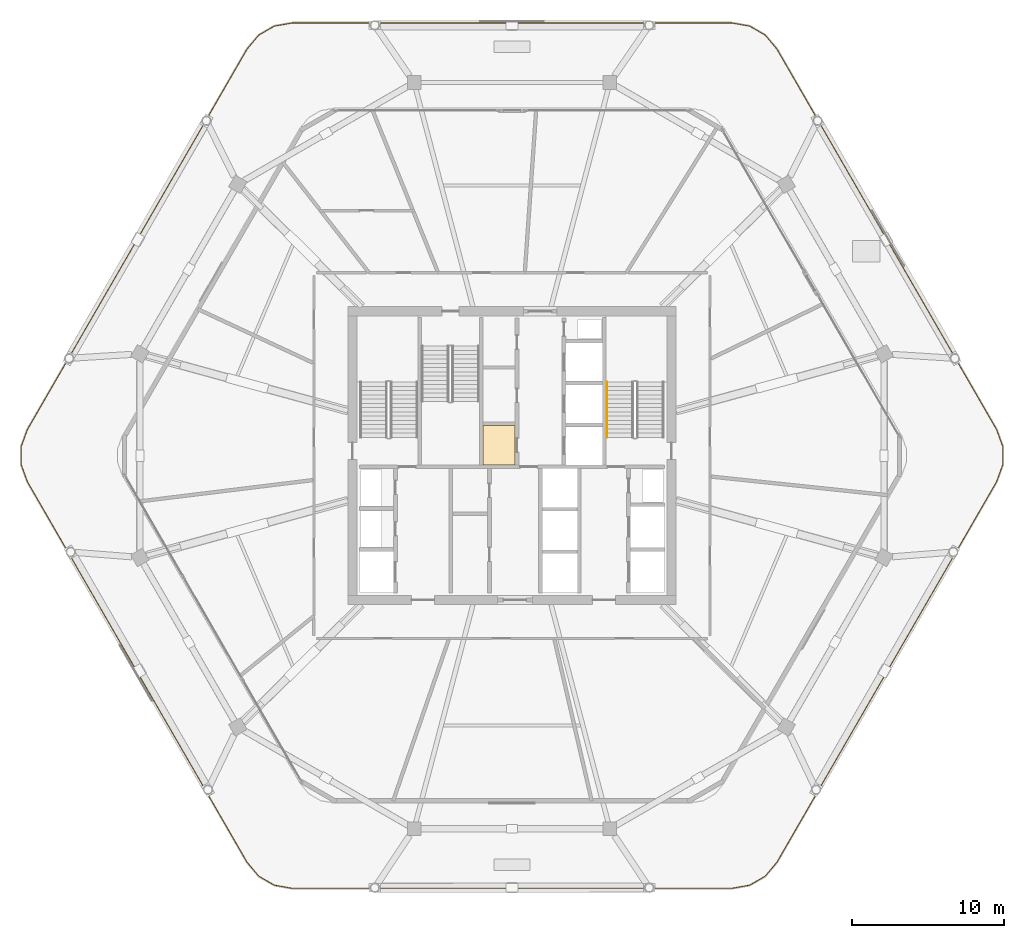
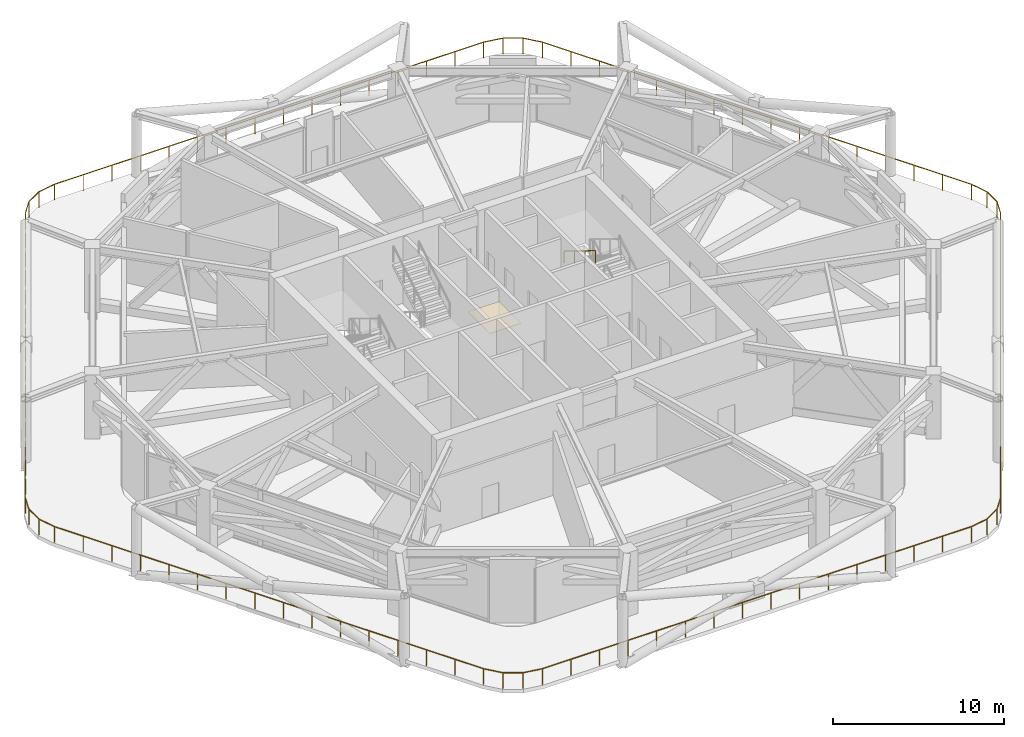
# One storey, part 17 of 20: 2 railings, 1 covering.
"""IFC4 building model written with IfcOpenShell, lengths in metres."""

from ifc_helpers import new_model, si_unit, direction, frame, origin, origin_2d, place, context, subcontext, project, spatial, polyline, rectangle, outline, extrude, material, layer, layer_set, type_object, element, save


model = new_model("IFC4")

# Units and contexts
model_context = context("Model", 3, precision=1e-05, world=origin(), true_north=direction((0.0, 1.0)))
body_context = subcontext(model_context, "Body", "Model", "MODEL_VIEW")
ifc_project = project(units=[si_unit("LENGTHUNIT", "METRE"), si_unit("AREAUNIT", "SQUARE_METRE"), si_unit("VOLUMEUNIT", "CUBIC_METRE"), si_unit("PLANEANGLEUNIT", "RADIAN"), si_unit("MASSUNIT", "GRAM", prefix="KILO")], contexts=[model_context])

# Site, building, storey
site_placement = place(None, origin())
site = spatial("IfcSite", under=ifc_project, at=site_placement, CompositionType="ELEMENT")
building_placement = place(site_placement, origin())
building = spatial("IfcBuilding", under=site, at=building_placement, Name="Zuhravey Tower", CompositionType="ELEMENT")
storey_placement = place(building_placement, frame((0.0, 0.0, 226.39990234375)))
storey = spatial("IfcBuildingStorey", under=building, at=storey_placement, Name="L57", CompositionType="ELEMENT", Elevation=226.39990234375)

# Railing
ifc_material_1 = material(Name="Stainless steel 316 and laminated glass", Category="steel")
railing_type_1 = type_object("IfcRailingType", Name="Balcony & Terrace Guardrail 1150", PredefinedType="BALUSTRADE", material=ifc_material_1)
railing_1_placement = place(storey_placement, frame((67.8876953125, 30.283935546875, 0.0)))
element("IfcRailing", 1, at=railing_1_placement, inside=storey, type_object=railing_type_1, Name="L57 Sky-Garden Perimeter Guardrail GR1", PredefinedType="BALUSTRADE", context=body_context, shape_type="SweptSolid", body=[
    extrude(rectangle(XDim=0.048095703125, YDim=0.048095703125, at=origin_2d()), frame((-0.0009765625, -0.001708984375, 1.1259765625), z_axis=(-0.500001158135, -0.866024735134, 0.0), x_axis=(0.866024735134, -0.500001158135, 0.0)), (0.0, 0.0, 1.0), 28.911376953125),
    extrude(rectangle(XDim=0.048095703125, YDim=0.048095703125, at=origin_2d()), frame((-14.458984375, -25.04296875, 1.1259765625), z_axis=(-0.642674195616, -0.766139594519, 0.0), x_axis=(0.766139594519, -0.642674195616, 0.0)), (0.0, 0.0, 1.0), 1.1904296875),
    extrude(rectangle(XDim=0.048095703125, YDim=0.048095703125, at=origin_2d()), frame((-15.22705078125, -25.95751953125, 1.1259765625), z_axis=(-0.866007538022, -0.500030943131, 0.0), x_axis=(0.500030943131, -0.866007538022, 0.0)), (0.0, 0.0, 1.0), 1.183349609375),
    extrude(rectangle(XDim=0.048095703125, YDim=0.048095703125, at=origin_2d()), frame((-16.255615234375, -26.550537109375, 1.1259765625), z_axis=(-0.984826741662, -0.173540453232, 0.0), x_axis=(0.173540453232, -0.984826741662, 0.0)), (0.0, 0.0, 1.0), 1.1904296875),
    extrude(rectangle(XDim=0.048095703125, YDim=0.048095703125, at=origin_2d()), frame((-17.431884765625, -26.757568359375, 1.1259765625), z_axis=(-1.0, 0.0, 0.0), x_axis=(0.0, -1.0, 0.0)), (0.0, 0.0, 1.0), 28.91162109375),
    extrude(rectangle(XDim=0.048095703125, YDim=0.048095703125, at=origin_2d()), frame((-46.347412109375, -26.75732421875, 1.1259765625), z_axis=(-0.984826741662, 0.173540453232, 0.0), x_axis=(-0.173540453232, -0.984826741662, 0.0)), (0.0, 0.0, 1.0), 1.1904296875),
    extrude(rectangle(XDim=0.048095703125, YDim=0.048095703125, at=origin_2d()), frame((-47.5234375, -26.54931640625, 1.1259765625), z_axis=(-0.866007538022, 0.500030943131, 0.0), x_axis=(-0.500030943131, -0.866007538022, 0.0)), (0.0, 0.0, 1.0), 1.183349609375),
    extrude(rectangle(XDim=0.048095703125, YDim=0.048095703125, at=origin_2d()), frame((-48.55126953125, -25.955078125, 1.1259765625), z_axis=(-0.642674195616, 0.766139594519, 0.0), x_axis=(-0.766139594519, -0.642674195616, 0.0)), (0.0, 0.0, 1.0), 1.1904296875),
    extrude(rectangle(XDim=0.048095703125, YDim=0.048095703125, at=origin_2d()), frame((-49.318603515625, -25.039794921875, 1.1259765625), z_axis=(-0.500001158135, 0.866024735134, 0.0), x_axis=(-0.866024735134, -0.500001158135, 0.0)), (0.0, 0.0, 1.0), 28.911376953125),
    extrude(rectangle(XDim=0.048095703125, YDim=0.048095703125, at=origin_2d()), frame((-63.776123046875, 0.001953125, 1.1259765625), z_axis=(-0.342169736669, 0.939638159776, 0.0), x_axis=(-0.939638159776, -0.342169736669, 0.0)), (0.0, 0.0, 1.0), 1.1904296875),
    extrude(rectangle(XDim=0.048095703125, YDim=0.048095703125, at=origin_2d()), frame((-64.18408203125, 1.124267578125, 1.1259765625), z_axis=(0.0, 1.0, 0.0), x_axis=(-1.0, 0.0, 0.0)), (0.0, 0.0, 1.0), 1.18359375),
    extrude(rectangle(XDim=0.048095703125, YDim=0.048095703125, at=origin_2d()), frame((-64.183349609375, 2.311767578125, 1.1259765625), z_axis=(0.342169736669, 0.939638159776, 0.0), x_axis=(-0.939638159776, 0.342169736669, 0.0)), (0.0, 0.0, 1.0), 1.1904296875),
    extrude(rectangle(XDim=0.048095703125, YDim=0.048095703125, at=origin_2d()), frame((-63.7744140625, 3.433837890625, 1.1259765625), z_axis=(0.500001158135, 0.866024735134, 0.0), x_axis=(-0.866024735134, 0.500001158135, 0.0)), (0.0, 0.0, 1.0), 28.911376953125),
    extrude(rectangle(XDim=0.048095703125, YDim=0.048095703125, at=origin_2d()), frame((-49.31640625, 28.47509765625, 1.1259765625), z_axis=(0.642674195616, 0.766139594519, 0.0), x_axis=(-0.766139594519, 0.642674195616, 0.0)), (0.0, 0.0, 1.0), 1.1904296875),
    extrude(rectangle(XDim=0.048095703125, YDim=0.048095703125, at=origin_2d()), frame((-48.54833984375, 29.3896484375, 1.1259765625), z_axis=(0.866007538022, 0.500030943131, 0.0), x_axis=(-0.500030943131, 0.866007538022, 0.0)), (0.0, 0.0, 1.0), 1.183349609375),
    extrude(rectangle(XDim=0.048095703125, YDim=0.048095703125, at=origin_2d()), frame((-47.519775390625, 29.982666015625, 1.1259765625), z_axis=(0.984826741662, 0.173540453232, 0.0), x_axis=(-0.173540453232, 0.984826741662, 0.0)), (0.0, 0.0, 1.0), 1.1904296875),
    extrude(rectangle(XDim=0.048095703125, YDim=0.048095703125, at=origin_2d()), frame((-46.343505859375, 30.189697265625, 1.1259765625), z_axis=(1.0, 0.0, 0.0), x_axis=(0.0, 1.0, 0.0)), (0.0, 0.0, 1.0), 28.91162109375),
    extrude(rectangle(XDim=0.048095703125, YDim=0.048095703125, at=origin_2d()), frame((-17.427978515625, 30.189453125, 1.1259765625), z_axis=(0.984826741662, -0.173540453232, 0.0), x_axis=(0.173540453232, 0.984826741662, 0.0)), (0.0, 0.0, 1.0), 1.1904296875),
    extrude(rectangle(XDim=0.048095703125, YDim=0.048095703125, at=origin_2d()), frame((-16.251953125, 29.9814453125, 1.1259765625), z_axis=(0.866007538022, -0.500030943131, 0.0), x_axis=(0.500030943131, 0.866007538022, 0.0)), (0.0, 0.0, 1.0), 1.183349609375),
    extrude(rectangle(XDim=0.048095703125, YDim=0.048095703125, at=origin_2d()), frame((-15.22412109375, 29.38720703125, 1.1259765625), z_axis=(0.642674195616, -0.766139594519, 0.0), x_axis=(0.766139594519, 0.642674195616, 0.0)), (0.0, 0.0, 1.0), 1.1904296875),
    extrude(rectangle(XDim=0.048095703125, YDim=0.048095703125, at=origin_2d()), frame((-14.456787109375, 28.471923828125, 1.1259765625), z_axis=(0.500001158135, -0.866024735134, 0.0), x_axis=(0.866024735134, 0.500001158135, 0.0)), (0.0, 0.0, 1.0), 28.911376953125),
    extrude(rectangle(XDim=0.048095703125, YDim=0.048095703125, at=origin_2d()), frame((0.000732421875, 3.43017578125, 1.1259765625), z_axis=(0.342169736669, -0.939638159776, 0.0), x_axis=(0.939638159776, 0.342169736669, 0.0)), (0.0, 0.0, 1.0), 1.1904296875),
    extrude(rectangle(XDim=0.048095703125, YDim=0.048095703125, at=origin_2d()), frame((0.40869140625, 2.307861328125, 1.1259765625), z_axis=(0.0, -1.0, 0.0), x_axis=(1.0, 0.0, 0.0)), (0.0, 0.0, 1.0), 1.18359375),
    extrude(rectangle(XDim=0.048095703125, YDim=0.048095703125, at=origin_2d()), frame((0.407958984375, 1.120361328125, 1.1259765625), z_axis=(-0.342169736669, -0.939638159776, 0.0), x_axis=(0.939638159776, -0.342169736669, 0.0)), (0.0, 0.0, 1.0), 1.1904296875),
    extrude(rectangle(XDim=0.0419921875, YDim=0.0419921875, at=origin_2d()), origin(), (0.0, 0.0, 1.0), 1.099853515625),
    extrude(rectangle(XDim=0.0419921875, YDim=0.0419921875, at=origin_2d()), frame((-0.9638671875, -1.66943359375, 0.0)), (0.0, 0.0, 1.0), 1.099853515625),
    extrude(rectangle(XDim=0.0419921875, YDim=0.0419921875, at=origin_2d()), frame((-1.927734375, -3.3388671875, 0.0)), (0.0, 0.0, 1.0), 1.099853515625),
    extrude(rectangle(XDim=0.0419921875, YDim=0.0419921875, at=origin_2d()), frame((-2.8916015625, -5.00830078125, 0.0)), (0.0, 0.0, 1.0), 1.099853515625),
    extrude(rectangle(XDim=0.0419921875, YDim=0.0419921875, at=origin_2d()), frame((-3.85546875, -6.677734375, 0.0)), (0.0, 0.0, 1.0), 1.099853515625),
    extrude(rectangle(XDim=0.0419921875, YDim=0.0419921875, at=origin_2d()), frame((-4.8193359375, -8.34716796875, 0.0)), (0.0, 0.0, 1.0), 1.099853515625),
    extrude(rectangle(XDim=0.0419921875, YDim=0.0419921875, at=origin_2d()), frame((-5.783203125, -10.0166015625, 0.0)), (0.0, 0.0, 1.0), 1.099853515625),
    extrude(rectangle(XDim=0.0419921875, YDim=0.0419921875, at=origin_2d()), frame((-6.7470703125, -11.68603515625, 0.0)), (0.0, 0.0, 1.0), 1.099853515625),
    extrude(rectangle(XDim=0.0419921875, YDim=0.0419921875, at=origin_2d()), frame((-7.710693359375, -13.35546875, 0.0)), (0.0, 0.0, 1.0), 1.099853515625),
    extrude(rectangle(XDim=0.0419921875, YDim=0.0419921875, at=origin_2d()), frame((-8.674560546875, -15.02490234375, 0.0)), (0.0, 0.0, 1.0), 1.099853515625),
    extrude(rectangle(XDim=0.0419921875, YDim=0.0419921875, at=origin_2d()), frame((-9.638427734375, -16.6943359375, 0.0)), (0.0, 0.0, 1.0), 1.099853515625),
    extrude(rectangle(XDim=0.0419921875, YDim=0.0419921875, at=origin_2d()), frame((-10.602294921875, -18.36376953125, 0.0)), (0.0, 0.0, 1.0), 1.099853515625),
    extrude(rectangle(XDim=0.0419921875, YDim=0.0419921875, at=origin_2d()), frame((-11.566162109375, -20.033203125, 0.0)), (0.0, 0.0, 1.0), 1.099853515625),
    extrude(rectangle(XDim=0.0419921875, YDim=0.0419921875, at=origin_2d()), frame((-12.530029296875, -21.70263671875, 0.0)), (0.0, 0.0, 1.0), 1.099853515625),
    extrude(rectangle(XDim=0.0419921875, YDim=0.0419921875, at=origin_2d()), frame((-13.493896484375, -23.3720703125, 0.0)), (0.0, 0.0, 1.0), 1.099853515625),
    extrude(rectangle(XDim=0.0419921875, YDim=0.0419921875, at=origin_2d()), frame((-14.457763671875, -25.04150390625, 0.0)), (0.0, 0.0, 1.0), 1.099853515625),
    extrude(rectangle(XDim=0.0419921875, YDim=0.0419921875, at=origin_2d()), frame((-15.225341796875, -25.95654296875, 0.0)), (0.0, 0.0, 1.0), 1.099853515625),
    extrude(rectangle(XDim=0.0419921875, YDim=0.0419921875, at=origin_2d()), frame((-16.253662109375, -26.55029296875, 0.0)), (0.0, 0.0, 1.0), 1.099853515625),
    extrude(rectangle(XDim=0.0419921875, YDim=0.0419921875, at=origin_2d()), frame((-17.429931640625, -26.757568359375, 0.0)), (0.0, 0.0, 1.0), 1.099853515625),
    extrude(rectangle(XDim=0.0419921875, YDim=0.0419921875, at=origin_2d()), frame((-19.357666015625, -26.757568359375, 0.0)), (0.0, 0.0, 1.0), 1.099853515625),
    extrude(rectangle(XDim=0.0419921875, YDim=0.0419921875, at=origin_2d()), frame((-21.285400390625, -26.757568359375, 0.0)), (0.0, 0.0, 1.0), 1.099853515625),
    extrude(rectangle(XDim=0.0419921875, YDim=0.0419921875, at=origin_2d()), frame((-23.213134765625, -26.757568359375, 0.0)), (0.0, 0.0, 1.0), 1.099853515625),
    extrude(rectangle(XDim=0.0419921875, YDim=0.0419921875, at=origin_2d()), frame((-25.140625, -26.757568359375, 0.0)), (0.0, 0.0, 1.0), 1.099853515625),
    extrude(rectangle(XDim=0.0419921875, YDim=0.0419921875, at=origin_2d()), frame((-27.068359375, -26.757568359375, 0.0)), (0.0, 0.0, 1.0), 1.099853515625),
    extrude(rectangle(XDim=0.0419921875, YDim=0.0419921875, at=origin_2d()), frame((-28.99609375, -26.757568359375, 0.0)), (0.0, 0.0, 1.0), 1.099853515625),
    extrude(rectangle(XDim=0.0419921875, YDim=0.0419921875, at=origin_2d()), frame((-30.923828125, -26.757568359375, 0.0)), (0.0, 0.0, 1.0), 1.099853515625),
    extrude(rectangle(XDim=0.0419921875, YDim=0.0419921875, at=origin_2d()), frame((-32.8515625, -26.757568359375, 0.0)), (0.0, 0.0, 1.0), 1.099853515625),
    extrude(rectangle(XDim=0.0419921875, YDim=0.0419921875, at=origin_2d()), frame((-34.779296875, -26.757568359375, 0.0)), (0.0, 0.0, 1.0), 1.099853515625),
    extrude(rectangle(XDim=0.0419921875, YDim=0.0419921875, at=origin_2d()), frame((-36.70703125, -26.757568359375, 0.0)), (0.0, 0.0, 1.0), 1.099853515625),
    extrude(rectangle(XDim=0.0419921875, YDim=0.0419921875, at=origin_2d()), frame((-38.634765625, -26.757568359375, 0.0)), (0.0, 0.0, 1.0), 1.099853515625),
    extrude(rectangle(XDim=0.0419921875, YDim=0.0419921875, at=origin_2d()), frame((-40.562255859375, -26.757568359375, 0.0)), (0.0, 0.0, 1.0), 1.099853515625),
    extrude(rectangle(XDim=0.0419921875, YDim=0.0419921875, at=origin_2d()), frame((-42.489990234375, -26.757568359375, 0.0)), (0.0, 0.0, 1.0), 1.099853515625),
    extrude(rectangle(XDim=0.0419921875, YDim=0.0419921875, at=origin_2d()), frame((-44.417724609375, -26.757568359375, 0.0)), (0.0, 0.0, 1.0), 1.099853515625),
    extrude(rectangle(XDim=0.0419921875, YDim=0.0419921875, at=origin_2d()), frame((-46.345458984375, -26.757568359375, 0.0)), (0.0, 0.0, 1.0), 1.099853515625),
    extrude(rectangle(XDim=0.0419921875, YDim=0.0419921875, at=origin_2d()), frame((-47.521728515625, -26.55029296875, 0.0)), (0.0, 0.0, 1.0), 1.099853515625),
    extrude(rectangle(XDim=0.0419921875, YDim=0.0419921875, at=origin_2d()), frame((-48.550048828125, -25.95654296875, 0.0)), (0.0, 0.0, 1.0), 1.099853515625),
    extrude(rectangle(XDim=0.0419921875, YDim=0.0419921875, at=origin_2d()), frame((-49.317626953125, -25.04150390625, 0.0)), (0.0, 0.0, 1.0), 1.099853515625),
    extrude(rectangle(XDim=0.0419921875, YDim=0.0419921875, at=origin_2d()), frame((-50.281494140625, -23.3720703125, 0.0)), (0.0, 0.0, 1.0), 1.099853515625),
    extrude(rectangle(XDim=0.0419921875, YDim=0.0419921875, at=origin_2d()), frame((-51.245361328125, -21.70263671875, 0.0)), (0.0, 0.0, 1.0), 1.099853515625),
    extrude(rectangle(XDim=0.0419921875, YDim=0.0419921875, at=origin_2d()), frame((-52.209228515625, -20.033203125, 0.0)), (0.0, 0.0, 1.0), 1.099853515625),
    extrude(rectangle(XDim=0.0419921875, YDim=0.0419921875, at=origin_2d()), frame((-53.173095703125, -18.36376953125, 0.0)), (0.0, 0.0, 1.0), 1.099853515625),
    extrude(rectangle(XDim=0.0419921875, YDim=0.0419921875, at=origin_2d()), frame((-54.136962890625, -16.6943359375, 0.0)), (0.0, 0.0, 1.0), 1.099853515625),
    extrude(rectangle(XDim=0.0419921875, YDim=0.0419921875, at=origin_2d()), frame((-55.100830078125, -15.02490234375, 0.0)), (0.0, 0.0, 1.0), 1.099853515625),
    extrude(rectangle(XDim=0.0419921875, YDim=0.0419921875, at=origin_2d()), frame((-56.064697265625, -13.35546875, 0.0)), (0.0, 0.0, 1.0), 1.099853515625),
    extrude(rectangle(XDim=0.0419921875, YDim=0.0419921875, at=origin_2d()), frame((-57.0283203125, -11.68603515625, 0.0)), (0.0, 0.0, 1.0), 1.099853515625),
    extrude(rectangle(XDim=0.0419921875, YDim=0.0419921875, at=origin_2d()), frame((-57.9921875, -10.0166015625, 0.0)), (0.0, 0.0, 1.0), 1.099853515625),
    extrude(rectangle(XDim=0.0419921875, YDim=0.0419921875, at=origin_2d()), frame((-58.9560546875, -8.34716796875, 0.0)), (0.0, 0.0, 1.0), 1.099853515625),
    extrude(rectangle(XDim=0.0419921875, YDim=0.0419921875, at=origin_2d()), frame((-59.919921875, -6.677734375, 0.0)), (0.0, 0.0, 1.0), 1.099853515625),
    extrude(rectangle(XDim=0.0419921875, YDim=0.0419921875, at=origin_2d()), frame((-60.8837890625, -5.00830078125, 0.0)), (0.0, 0.0, 1.0), 1.099853515625),
    extrude(rectangle(XDim=0.0419921875, YDim=0.0419921875, at=origin_2d()), frame((-61.84765625, -3.3388671875, 0.0)), (0.0, 0.0, 1.0), 1.099853515625),
    extrude(rectangle(XDim=0.0419921875, YDim=0.0419921875, at=origin_2d()), frame((-62.8115234375, -1.66943359375, 0.0)), (0.0, 0.0, 1.0), 1.099853515625),
    extrude(rectangle(XDim=0.0419921875, YDim=0.0419921875, at=origin_2d()), frame((-63.775390625, 0.0, 0.0)), (0.0, 0.0, 1.0), 1.099853515625),
    extrude(rectangle(XDim=0.0419921875, YDim=0.0419921875, at=origin_2d()), frame((-64.18408203125, 1.122314453125, 0.0)), (0.0, 0.0, 1.0), 1.099853515625),
    extrude(rectangle(XDim=0.0419921875, YDim=0.0419921875, at=origin_2d()), frame((-64.18408203125, 2.309814453125, 0.0)), (0.0, 0.0, 1.0), 1.099853515625),
    extrude(rectangle(XDim=0.0419921875, YDim=0.0419921875, at=origin_2d()), frame((-63.775390625, 3.43212890625, 0.0)), (0.0, 0.0, 1.0), 1.099853515625),
    extrude(rectangle(XDim=0.0419921875, YDim=0.0419921875, at=origin_2d()), frame((-62.8115234375, 5.1015625, 0.0)), (0.0, 0.0, 1.0), 1.099853515625),
    extrude(rectangle(XDim=0.0419921875, YDim=0.0419921875, at=origin_2d()), frame((-61.84765625, 6.77099609375, 0.0)), (0.0, 0.0, 1.0), 1.099853515625),
    extrude(rectangle(XDim=0.0419921875, YDim=0.0419921875, at=origin_2d()), frame((-60.8837890625, 8.4404296875, 0.0)), (0.0, 0.0, 1.0), 1.099853515625),
    extrude(rectangle(XDim=0.0419921875, YDim=0.0419921875, at=origin_2d()), frame((-59.919921875, 10.10986328125, 0.0)), (0.0, 0.0, 1.0), 1.099853515625),
    extrude(rectangle(XDim=0.0419921875, YDim=0.0419921875, at=origin_2d()), frame((-58.9560546875, 11.779296875, 0.0)), (0.0, 0.0, 1.0), 1.099853515625),
    extrude(rectangle(XDim=0.0419921875, YDim=0.0419921875, at=origin_2d()), frame((-57.9921875, 13.44873046875, 0.0)), (0.0, 0.0, 1.0), 1.099853515625),
    extrude(rectangle(XDim=0.0419921875, YDim=0.0419921875, at=origin_2d()), frame((-57.0283203125, 15.1181640625, 0.0)), (0.0, 0.0, 1.0), 1.099853515625),
    extrude(rectangle(XDim=0.0419921875, YDim=0.0419921875, at=origin_2d()), frame((-56.064697265625, 16.78759765625, 0.0)), (0.0, 0.0, 1.0), 1.099853515625),
    extrude(rectangle(XDim=0.0419921875, YDim=0.0419921875, at=origin_2d()), frame((-55.100830078125, 18.45703125, 0.0)), (0.0, 0.0, 1.0), 1.099853515625),
    extrude(rectangle(XDim=0.0419921875, YDim=0.0419921875, at=origin_2d()), frame((-54.136962890625, 20.12646484375, 0.0)), (0.0, 0.0, 1.0), 1.099853515625),
    extrude(rectangle(XDim=0.0419921875, YDim=0.0419921875, at=origin_2d()), frame((-53.173095703125, 21.7958984375, 0.0)), (0.0, 0.0, 1.0), 1.099853515625),
    extrude(rectangle(XDim=0.0419921875, YDim=0.0419921875, at=origin_2d()), frame((-52.209228515625, 23.46533203125, 0.0)), (0.0, 0.0, 1.0), 1.099853515625),
    extrude(rectangle(XDim=0.0419921875, YDim=0.0419921875, at=origin_2d()), frame((-51.245361328125, 25.134765625, 0.0)), (0.0, 0.0, 1.0), 1.099853515625),
    extrude(rectangle(XDim=0.0419921875, YDim=0.0419921875, at=origin_2d()), frame((-50.281494140625, 26.80419921875, 0.0)), (0.0, 0.0, 1.0), 1.099853515625),
    extrude(rectangle(XDim=0.0419921875, YDim=0.0419921875, at=origin_2d()), frame((-49.317626953125, 28.4736328125, 0.0)), (0.0, 0.0, 1.0), 1.099853515625),
    extrude(rectangle(XDim=0.0419921875, YDim=0.0419921875, at=origin_2d()), frame((-48.550048828125, 29.388671875, 0.0)), (0.0, 0.0, 1.0), 1.099853515625),
    extrude(rectangle(XDim=0.0419921875, YDim=0.0419921875, at=origin_2d()), frame((-47.521728515625, 29.982421875, 0.0)), (0.0, 0.0, 1.0), 1.099853515625),
    extrude(rectangle(XDim=0.0419921875, YDim=0.0419921875, at=origin_2d()), frame((-46.345458984375, 30.189697265625, 0.0)), (0.0, 0.0, 1.0), 1.099853515625),
    extrude(rectangle(XDim=0.0419921875, YDim=0.0419921875, at=origin_2d()), frame((-44.417724609375, 30.189697265625, 0.0)), (0.0, 0.0, 1.0), 1.099853515625),
    extrude(rectangle(XDim=0.0419921875, YDim=0.0419921875, at=origin_2d()), frame((-42.489990234375, 30.189697265625, 0.0)), (0.0, 0.0, 1.0), 1.099853515625),
    extrude(rectangle(XDim=0.0419921875, YDim=0.0419921875, at=origin_2d()), frame((-40.562255859375, 30.189697265625, 0.0)), (0.0, 0.0, 1.0), 1.099853515625),
    extrude(rectangle(XDim=0.0419921875, YDim=0.0419921875, at=origin_2d()), frame((-38.634765625, 30.189697265625, 0.0)), (0.0, 0.0, 1.0), 1.099853515625),
    extrude(rectangle(XDim=0.0419921875, YDim=0.0419921875, at=origin_2d()), frame((-36.70703125, 30.189697265625, 0.0)), (0.0, 0.0, 1.0), 1.099853515625),
    extrude(rectangle(XDim=0.0419921875, YDim=0.0419921875, at=origin_2d()), frame((-34.779296875, 30.189697265625, 0.0)), (0.0, 0.0, 1.0), 1.099853515625),
    extrude(rectangle(XDim=0.0419921875, YDim=0.0419921875, at=origin_2d()), frame((-32.8515625, 30.189697265625, 0.0)), (0.0, 0.0, 1.0), 1.099853515625),
    extrude(rectangle(XDim=0.0419921875, YDim=0.0419921875, at=origin_2d()), frame((-30.923828125, 30.189697265625, 0.0)), (0.0, 0.0, 1.0), 1.099853515625),
    extrude(rectangle(XDim=0.0419921875, YDim=0.0419921875, at=origin_2d()), frame((-28.99609375, 30.189697265625, 0.0)), (0.0, 0.0, 1.0), 1.099853515625),
    extrude(rectangle(XDim=0.0419921875, YDim=0.0419921875, at=origin_2d()), frame((-27.068359375, 30.189697265625, 0.0)), (0.0, 0.0, 1.0), 1.099853515625),
    extrude(rectangle(XDim=0.0419921875, YDim=0.0419921875, at=origin_2d()), frame((-25.140625, 30.189697265625, 0.0)), (0.0, 0.0, 1.0), 1.099853515625),
    extrude(rectangle(XDim=0.0419921875, YDim=0.0419921875, at=origin_2d()), frame((-23.213134765625, 30.189697265625, 0.0)), (0.0, 0.0, 1.0), 1.099853515625),
    extrude(rectangle(XDim=0.0419921875, YDim=0.0419921875, at=origin_2d()), frame((-21.285400390625, 30.189697265625, 0.0)), (0.0, 0.0, 1.0), 1.099853515625),
    extrude(rectangle(XDim=0.0419921875, YDim=0.0419921875, at=origin_2d()), frame((-19.357666015625, 30.189697265625, 0.0)), (0.0, 0.0, 1.0), 1.099853515625),
    extrude(rectangle(XDim=0.0419921875, YDim=0.0419921875, at=origin_2d()), frame((-17.429931640625, 30.189697265625, 0.0)), (0.0, 0.0, 1.0), 1.099853515625),
    extrude(rectangle(XDim=0.0419921875, YDim=0.0419921875, at=origin_2d()), frame((-16.253662109375, 29.982421875, 0.0)), (0.0, 0.0, 1.0), 1.099853515625),
    extrude(rectangle(XDim=0.0419921875, YDim=0.0419921875, at=origin_2d()), frame((-15.225341796875, 29.388671875, 0.0)), (0.0, 0.0, 1.0), 1.099853515625),
    extrude(rectangle(XDim=0.0419921875, YDim=0.0419921875, at=origin_2d()), frame((-14.457763671875, 28.4736328125, 0.0)), (0.0, 0.0, 1.0), 1.099853515625),
    extrude(rectangle(XDim=0.0419921875, YDim=0.0419921875, at=origin_2d()), frame((-13.493896484375, 26.80419921875, 0.0)), (0.0, 0.0, 1.0), 1.099853515625),
    extrude(rectangle(XDim=0.0419921875, YDim=0.0419921875, at=origin_2d()), frame((-12.530029296875, 25.134765625, 0.0)), (0.0, 0.0, 1.0), 1.099853515625),
    extrude(rectangle(XDim=0.0419921875, YDim=0.0419921875, at=origin_2d()), frame((-11.566162109375, 23.46533203125, 0.0)), (0.0, 0.0, 1.0), 1.099853515625),
    extrude(rectangle(XDim=0.0419921875, YDim=0.0419921875, at=origin_2d()), frame((-10.602294921875, 21.7958984375, 0.0)), (0.0, 0.0, 1.0), 1.099853515625),
    extrude(rectangle(XDim=0.0419921875, YDim=0.0419921875, at=origin_2d()), frame((-9.638427734375, 20.12646484375, 0.0)), (0.0, 0.0, 1.0), 1.099853515625),
    extrude(rectangle(XDim=0.0419921875, YDim=0.0419921875, at=origin_2d()), frame((-8.674560546875, 18.45703125, 0.0)), (0.0, 0.0, 1.0), 1.099853515625),
    extrude(rectangle(XDim=0.0419921875, YDim=0.0419921875, at=origin_2d()), frame((-7.710693359375, 16.78759765625, 0.0)), (0.0, 0.0, 1.0), 1.099853515625),
    extrude(rectangle(XDim=0.0419921875, YDim=0.0419921875, at=origin_2d()), frame((-6.7470703125, 15.1181640625, 0.0)), (0.0, 0.0, 1.0), 1.099853515625),
    extrude(rectangle(XDim=0.0419921875, YDim=0.0419921875, at=origin_2d()), frame((-5.783203125, 13.44873046875, 0.0)), (0.0, 0.0, 1.0), 1.099853515625),
    extrude(rectangle(XDim=0.0419921875, YDim=0.0419921875, at=origin_2d()), frame((-4.8193359375, 11.779296875, 0.0)), (0.0, 0.0, 1.0), 1.099853515625),
    extrude(rectangle(XDim=0.0419921875, YDim=0.0419921875, at=origin_2d()), frame((-3.85546875, 10.10986328125, 0.0)), (0.0, 0.0, 1.0), 1.099853515625),
    extrude(rectangle(XDim=0.0419921875, YDim=0.0419921875, at=origin_2d()), frame((-2.8916015625, 8.4404296875, 0.0)), (0.0, 0.0, 1.0), 1.099853515625),
    extrude(rectangle(XDim=0.0419921875, YDim=0.0419921875, at=origin_2d()), frame((-1.927734375, 6.77099609375, 0.0)), (0.0, 0.0, 1.0), 1.099853515625),
    extrude(rectangle(XDim=0.0419921875, YDim=0.0419921875, at=origin_2d()), frame((-0.9638671875, 5.1015625, 0.0)), (0.0, 0.0, 1.0), 1.099853515625),
    extrude(rectangle(XDim=0.0419921875, YDim=0.0419921875, at=origin_2d()), frame((0.0, 3.43212890625, 0.0)), (0.0, 0.0, 1.0), 1.099853515625),
    extrude(rectangle(XDim=0.0419921875, YDim=0.0419921875, at=origin_2d()), frame((0.40869140625, 2.309814453125, 0.0)), (0.0, 0.0, 1.0), 1.099853515625),
    extrude(rectangle(XDim=0.0419921875, YDim=0.0419921875, at=origin_2d()), frame((0.40869140625, 1.122314453125, 0.0)), (0.0, 0.0, 1.0), 1.099853515625),
])

# Covering
ifc_material_2 = material(Name="Moisture-resistant gypsum ceiling board")
ifc_layer = layer(ifc_material_2, 0.02001953125)
ifc_layer_set = layer_set([ifc_layer], Name="Moisture-resistant gypsum ceiling board")
covering_type = type_object("IfcCoveringType", Name="Moisture-Resistant Ceiling", PredefinedType="CEILING", material=ifc_layer_set)
covering_placement = place(storey_placement, frame((0.0, 0.0, 3.690185546875)))
element("IfcCovering", 2, at=covering_placement, inside=storey, type_object=covering_type, Name="L57 Wet-Room Ceiling CLG2", PredefinedType="CEILING", context=body_context, shape_type="SweptSolid", body=[
    extrude(outline(polyline([(36.199951171875, 31.39990234375), (36.199951171875, 33.97998046875), (34.10009765625, 33.97998046875), (34.10009765625, 31.39990234375), (36.199951171875, 31.39990234375)])), origin(), (0.0, 0.0, 1.0), 0.02001953125),
])

# Railing
ifc_material_3 = material(Name="Brushed stainless steel", Category="steel")
railing_type_2 = type_object("IfcRailingType", Name="Stair Wall Handrail 900", PredefinedType="HANDRAIL", material=ifc_material_3)
railing_2_placement = place(storey_placement, frame((42.25, 36.840087890625, 2.571533203125)))
element("IfcRailing", 3, at=railing_2_placement, inside=storey, type_object=railing_type_2, Name="L57 ST2 stair handrail 2", PredefinedType="HANDRAIL", context=body_context, shape_type="SweptSolid", body=[
    extrude(rectangle(XDim=0.048095703125, YDim=0.048095703125, at=origin_2d()), frame((0.0, -0.001708984375, 0.876953125), z_axis=(0.0, -0.852865859571, 0.52213008492), x_axis=(1.0, 0.0, 0.0)), (0.0, 0.0, 1.0), 4.26416015625),
    extrude(rectangle(XDim=0.0419921875, YDim=0.0419921875, at=origin_2d()), origin(), (0.0, 0.0, 1.0), 0.849853515625),
    extrude(rectangle(XDim=0.0419921875, YDim=0.0419921875, at=origin_2d()), frame((0.0, -1.21337890625, 0.742919921875)), (0.0, 0.0, 1.0), 0.849853515625),
    extrude(rectangle(XDim=0.0419921875, YDim=0.0419921875, at=origin_2d()), frame((0.0, -2.4267578125, 1.485595703125)), (0.0, 0.0, 1.0), 0.849853515625),
    extrude(rectangle(XDim=0.0419921875, YDim=0.0419921875, at=origin_2d()), frame((0.0, -3.64013671875, 2.228515625)), (0.0, 0.0, 1.0), 0.849853515625),
])

save(model, "model.ifc")
